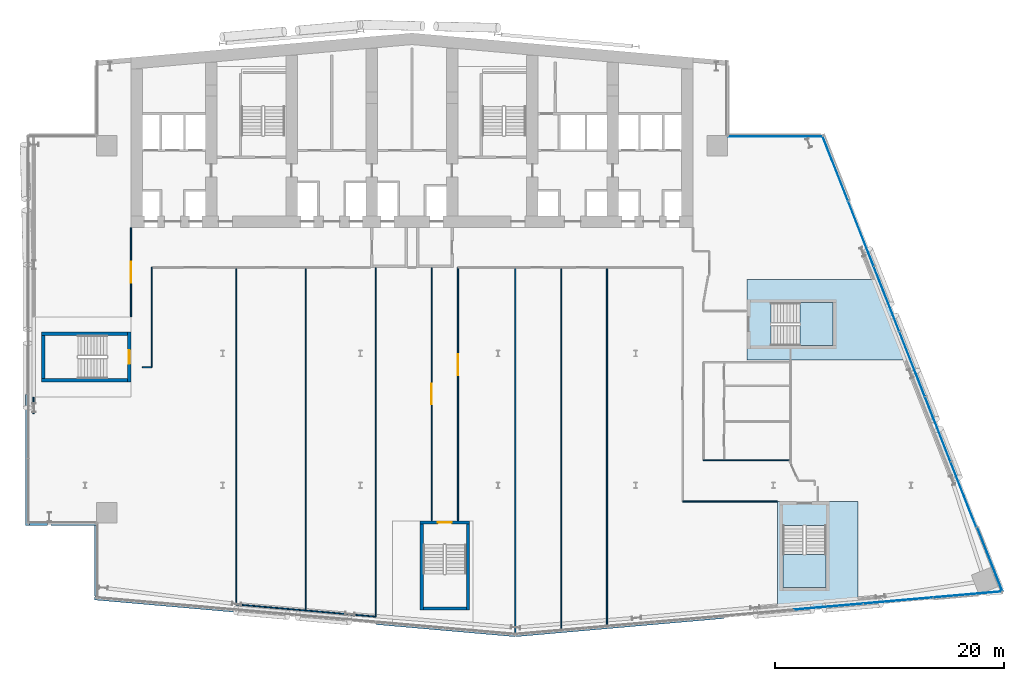
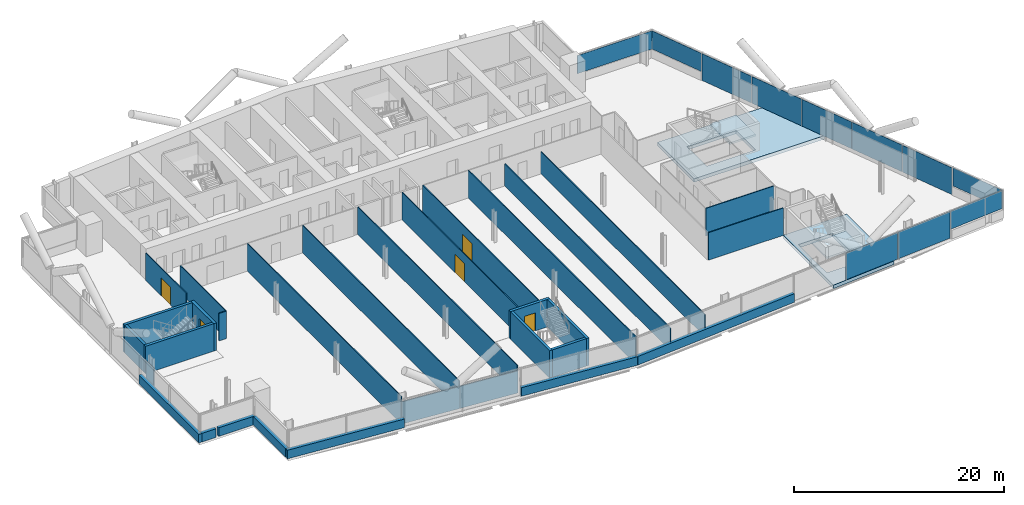
# One storey, part 13 of 26: 31 walls, 11 plates, 5 doors, 4 slabs, 5 openings, 5 elements without a shape of their own.
"""IFC4 building model written with IfcOpenShell, lengths in metres."""

from ifc_helpers import new_model, si_unit, direction, frame, frame_2d, origin, origin_2d, place, context, subcontext, project, spatial, polyline, rectangle, outline, extrude, material, layer, layer_set, type_object, element, fill, aggregate, save


model = new_model("IFC4")

# Units and contexts
model_context = context("Model", 3, precision=1e-05, world=origin(), true_north=direction((0.0, 1.0)))
body_context = subcontext(model_context, "Body", "Model", "MODEL_VIEW")
ifc_project = project(units=[si_unit("LENGTHUNIT", "METRE"), si_unit("AREAUNIT", "SQUARE_METRE"), si_unit("VOLUMEUNIT", "CUBIC_METRE"), si_unit("PLANEANGLEUNIT", "RADIAN"), si_unit("MASSUNIT", "GRAM", prefix="KILO")], contexts=[model_context])

# Site, building, storey
site_placement = place(None, origin())
site = spatial("IfcSite", under=ifc_project, at=site_placement, CompositionType="ELEMENT")
building_placement = place(site_placement, origin())
building = spatial("IfcBuilding", under=site, at=building_placement, Name="Wharfspan Tower", CompositionType="ELEMENT")
storey_placement = place(building_placement, frame((0.0, 0.0, 125.5)))
storey = spatial("IfcBuildingStorey", under=building, at=storey_placement, Name="L29", CompositionType="ELEMENT", Elevation=125.5)

# Curtain wall, plate
ifc_material_1 = material(Name="Aluminium 6063-T6", Category="aluminium")
curtain_wall_type_1 = type_object("IfcCurtainWallType", Name="CURTAIN WALL FACETED FRONT", PredefinedType="NOTDEFINED", material=ifc_material_1)
curtain_wall_1_placement = place(storey_placement, origin())
curtain_wall_1 = element("IfcCurtainWall", 1, at=curtain_wall_1_placement, inside=storey, type_object=curtain_wall_type_1, Name="Curtain wall S2", PredefinedType="NOTDEFINED")
ifc_material_2 = material(Name="Glass clear low-iron double glazing", Category="glass")
ifc_layer_1 = layer(ifc_material_2, 0.040039)
ifc_layer_set_1 = layer_set([ifc_layer_1], Name="Glass clear low-iron double glazing")
plate_type_1 = type_object("IfcPlateType", Name="GLASS PANEL FACETED FRONT 40", PredefinedType="CURTAIN_PANEL", material=ifc_layer_set_1)
plate_1_placement = place(storey_placement, frame((88.944092, 1.99292, 1.0), z_axis=(0.0, 0.0, 1.0), x_axis=(0.996198, 0.087156, 0.0)))
plate_1 = element("IfcPlate", 2, at=plate_1_placement, type_object=plate_type_1, Name="Curtain wall S2 panel 7", PredefinedType="CURTAIN_PANEL", context=body_context, shape_type="SweptSolid", body=[
    extrude(rectangle(XDim=6.004639, YDim=0.040039, at=origin_2d()), origin(), (0.0, 0.0, 1.0), 2.120117),
])

# Curtain wall, plates
curtain_wall_type_2 = type_object("IfcCurtainWallType", Name="CURTAIN WALL PROW AND END", PredefinedType="NOTDEFINED", material=ifc_material_1)
curtain_wall_2_placement = place(storey_placement, origin())
curtain_wall_2 = element("IfcCurtainWall", 3, at=curtain_wall_2_placement, inside=storey, type_object=curtain_wall_type_2, Name="Curtain wall E", PredefinedType="NOTDEFINED")
ifc_layer_2 = layer(ifc_material_2, 0.040039)
ifc_layer_set_2 = layer_set([ifc_layer_2], Name="Glass clear low-iron double glazing")
plate_type_2 = type_object("IfcPlateType", Name="GLASS PANEL PROW AND END 40", PredefinedType="CURTAIN_PANEL", material=ifc_layer_set_2)
plate_2_placement = place(storey_placement, frame((90.877197, 5.056885, 1.0), z_axis=(0.0, 0.0, 1.0), x_axis=(-0.365778, 0.930702, 0.0)))
plate_2 = element("IfcPlate", 4, at=plate_2_placement, type_object=plate_type_2, Name="Curtain wall E panel 1", PredefinedType="CURTAIN_PANEL", context=body_context, shape_type="SweptSolid", body=[
    extrude(rectangle(XDim=6.019043, YDim=0.040039, at=origin_2d()), origin(), (0.0, 0.0, 1.0), 2.120117),
])
plate_3_placement = place(storey_placement, frame((77.406494, 39.114014, 1.0), z_axis=(0.0, 0.0, 1.0), x_axis=(-0.365778, 0.930702, 0.0)))
plate_3 = element("IfcPlate", 5, at=plate_3_placement, type_object=plate_type_2, Name="Curtain wall E panel 7", PredefinedType="CURTAIN_PANEL", context=body_context, shape_type="SweptSolid", body=[
    extrude(rectangle(XDim=6.019043, YDim=0.040039, at=origin_2d()), origin(), (0.0, 0.0, 1.0), 2.120117),
])

# Curtain wall, plate
curtain_wall_3_placement = place(storey_placement, origin())
curtain_wall_3 = element("IfcCurtainWall", 6, at=curtain_wall_3_placement, inside=storey, type_object=curtain_wall_type_2, Name="Curtain wall NRE-H", PredefinedType="NOTDEFINED")
plate_4_placement = place(storey_placement, frame((72.178955, 41.919922, 1.0), z_axis=(0.0, 0.0, 1.0), x_axis=(-1.0, 0.0, 0.0)))
plate_4 = element("IfcPlate", 7, at=plate_4_placement, type_object=plate_type_2, Name="Curtain wall NRE-H panel 1", PredefinedType="CURTAIN_PANEL", context=body_context, shape_type="SweptSolid", body=[
    extrude(rectangle(XDim=8.238037, YDim=0.040039, at=origin_2d()), origin(), (0.0, 0.0, 1.0), 2.120117),
])
aggregate(curtain_wall_3, [plate_4])

# Plate
ifc_material_3 = material(Name="Aluminium composite opaque insulated panel", Category="aluminium")
ifc_layer_3 = layer(ifc_material_3, 0.040039)
ifc_layer_set_3 = layer_set([ifc_layer_3], Name="Aluminium composite opaque insulated panel")
plate_type_3 = type_object("IfcPlateType", Name="INFILL PANEL FACETED FRONT OPAQUE 40", PredefinedType="SHEET", material=ifc_layer_set_3)
plate_5_placement = place(storey_placement, frame((76.816162, 0.931885, 0.0), z_axis=(0.0, 0.0, 1.0), x_axis=(0.996198, 0.087156, 0.0)))
plate_5 = element("IfcPlate", 8, at=plate_5_placement, type_object=plate_type_3, Name="Curtain wall S2 panel 5", PredefinedType="SHEET", context=body_context, shape_type="SweptSolid", body=[
    extrude(rectangle(XDim=6.034668, YDim=0.040039, at=origin_2d()), origin(), (0.0, 0.0, 1.0), 3.120117),
])

plate_6_placement = place(storey_placement, frame((82.887695, 1.462891, 0.0), z_axis=(0.0, 0.0, 1.0), x_axis=(0.996198, 0.087156, 0.0)))
plate_6 = element("IfcPlate", 9, at=plate_6_placement, type_object=plate_type_3, Name="Curtain wall S2 panel 6", PredefinedType="SHEET", context=body_context, shape_type="SweptSolid", body=[
    extrude(rectangle(XDim=6.034668, YDim=0.040039, at=origin_2d()), origin(), (0.0, 0.0, 1.0), 3.120117),
])

aggregate(curtain_wall_1, [plate_5, plate_6, plate_1])

ifc_layer_4 = layer(ifc_material_3, 0.040039)
ifc_layer_set_4 = layer_set([ifc_layer_4], Name="Aluminium composite opaque insulated panel")
plate_type_4 = type_object("IfcPlateType", Name="INFILL PANEL PROW AND END OPAQUE 40", PredefinedType="SHEET", material=ifc_layer_set_4)
plate_7_placement = place(storey_placement, frame((88.57373, 10.699219, 0.0), z_axis=(0.0, 0.0, 1.0), x_axis=(-0.365778, 0.930702, 0.0)))
plate_7 = element("IfcPlate", 10, at=plate_7_placement, type_object=plate_type_4, Name="Curtain wall E panel 2", PredefinedType="SHEET", context=body_context, shape_type="SweptSolid", body=[
    extrude(rectangle(XDim=6.049072, YDim=0.040039, at=origin_2d()), origin(), (0.0, 0.0, 1.0), 3.120117),
])

plate_8_placement = place(storey_placement, frame((86.339111, 16.38501, 0.0), z_axis=(0.0, 0.0, 1.0), x_axis=(-0.365778, 0.930702, 0.0)))
plate_8 = element("IfcPlate", 11, at=plate_8_placement, type_object=plate_type_4, Name="Curtain wall E panel 3", PredefinedType="SHEET", context=body_context, shape_type="SweptSolid", body=[
    extrude(rectangle(XDim=6.049072, YDim=0.040039, at=origin_2d()), origin(), (0.0, 0.0, 1.0), 3.120117),
])

plate_9_placement = place(storey_placement, frame((84.104492, 22.070801, 0.0), z_axis=(0.0, 0.0, 1.0), x_axis=(-0.365778, 0.930702, 0.0)))
plate_9 = element("IfcPlate", 12, at=plate_9_placement, type_object=plate_type_4, Name="Curtain wall E panel 4", PredefinedType="SHEET", context=body_context, shape_type="SweptSolid", body=[
    extrude(rectangle(XDim=6.049072, YDim=0.040039, at=origin_2d()), origin(), (0.0, 0.0, 1.0), 3.120117),
])

plate_10_placement = place(storey_placement, frame((81.870117, 27.756348, 0.0), z_axis=(0.0, 0.0, 1.0), x_axis=(-0.365778, 0.930702, 0.0)))
plate_10 = element("IfcPlate", 13, at=plate_10_placement, type_object=plate_type_4, Name="Curtain wall E panel 5", PredefinedType="SHEET", context=body_context, shape_type="SweptSolid", body=[
    extrude(rectangle(XDim=6.049072, YDim=0.040039, at=origin_2d()), origin(), (0.0, 0.0, 1.0), 3.120117),
])

plate_11_placement = place(storey_placement, frame((79.635498, 33.442139, 0.0), z_axis=(0.0, 0.0, 1.0), x_axis=(-0.365778, 0.930702, 0.0)))
plate_11 = element("IfcPlate", 14, at=plate_11_placement, type_object=plate_type_4, Name="Curtain wall E panel 6", PredefinedType="SHEET", context=body_context, shape_type="SweptSolid", body=[
    extrude(rectangle(XDim=6.049072, YDim=0.040039, at=origin_2d()), origin(), (0.0, 0.0, 1.0), 3.120117),
])

aggregate(curtain_wall_2, [plate_2, plate_7, plate_8, plate_9, plate_10, plate_11, plate_3])

# Slabs
ifc_material_4 = material(Name="Concrete C40/50", Category="concrete")
ifc_layer_5 = layer(ifc_material_4, 0.399902)
ifc_layer_set_5 = layer_set([ifc_layer_5], Name="Concrete C40/50")
slab_type_1 = type_object("IfcSlabType", Name="Post-tensioned flat slab 400", PredefinedType="FLOOR", material=ifc_layer_set_5)
slab_1_placement = place(storey_placement, frame((0.0, 0.0, -0.400146)))
element("IfcSlab", 15, at=slab_1_placement, inside=storey, type_object=slab_type_1, Name="Core floor slab L29 part 5", PredefinedType="FLOOR", context=body_context, shape_type="SweptSolid", body=[
    extrude(outline(polyline([(79.365967, 10.094727), (76.891113, 10.094727), (72.541016, 10.094727), (72.365967, 10.094727), (72.365967, 0.482178), (79.365967, 1.094727), (79.365967, 10.094727)]), holes=[polyline([(76.591064, 7.996582), (76.591309, 7.996582), (76.591309, 7.996582), (76.591553, 7.996582), (76.591797, 7.996582), (76.591797, 7.996338), (76.592041, 7.996338), (76.592285, 7.996094), (76.592285, 7.996094), (76.592529, 7.99585), (76.592773, 7.99585), (76.592773, 7.995605), (76.593018, 7.995361), (76.593018, 7.995117), (76.593018, 7.995117), (76.593018, 7.994873), (76.593018, 7.994629), (76.593018, 2.594727), (76.593018, 2.594482), (76.593018, 2.594238), (76.593018, 2.593994), (76.593018, 2.593994), (76.592773, 2.59375), (76.592773, 2.593506), (76.592529, 2.593506), (76.592285, 2.593262), (76.592285, 2.593018), (76.592041, 2.593018), (76.591797, 2.593018), (76.591797, 2.592773), (76.591553, 2.592773), (76.591309, 2.592773), (76.591309, 2.592773), (76.591064, 2.592773), (72.841064, 2.592773), (72.84082, 2.592773), (72.840576, 2.592773), (72.840332, 2.592773), (72.840088, 2.592773), (72.840088, 2.593018), (72.839844, 2.593018), (72.8396, 2.593018), (72.8396, 2.593262), (72.8396, 2.593506), (72.839355, 2.593506), (72.839111, 2.59375), (72.839111, 2.593994), (72.839111, 2.593994), (72.839111, 2.594238), (72.839111, 2.594482), (72.839111, 2.594727), (72.839111, 7.994629), (72.839111, 7.994873), (72.839111, 7.995117), (72.839111, 7.995117), (72.839111, 7.995361), (72.839111, 7.995605), (72.839355, 7.99585), (72.8396, 7.99585), (72.8396, 7.996094), (72.8396, 7.996094), (72.839844, 7.996338), (72.840088, 7.996338), (72.840088, 7.996582), (72.840332, 7.996582), (72.840576, 7.996582), (72.84082, 7.996582), (72.841064, 7.996582), (76.591064, 7.996582)])]), origin(), (0.0, 0.0, 1.0), 0.400146),
])
slab_2_placement = place(storey_placement, frame((0.0, 0.0, -0.400146)))
element("IfcSlab", 16, at=slab_2_placement, inside=storey, type_object=slab_type_1, Name="Core floor slab L29 part 6", PredefinedType="FLOOR", context=body_context, shape_type="SweptSolid", body=[
    extrude(outline(polyline([(81.290283, 29.449951), (69.69043, 29.449951), (69.69043, 27.725098), (69.69043, 23.375), (69.69043, 22.449951), (84.041504, 22.449951), (81.290283, 29.449951)]), holes=[polyline([(71.790283, 23.673096), (71.790283, 23.673096), (71.790039, 23.673096), (71.789795, 23.673096), (71.789551, 23.673096), (71.789551, 23.673096), (71.789307, 23.67334), (71.789062, 23.673584), (71.789062, 23.673584), (71.788818, 23.673584), (71.788818, 23.673828), (71.788574, 23.674072), (71.788574, 23.674316), (71.788574, 23.674316), (71.78833, 23.674561), (71.78833, 23.674805), (71.78833, 23.675049), (71.78833, 27.425049), (71.78833, 27.425293), (71.78833, 27.425293), (71.788574, 27.425537), (71.788574, 27.425781), (71.788574, 27.425781), (71.788818, 27.426025), (71.788818, 27.42627), (71.789062, 27.426514), (71.789062, 27.426514), (71.789307, 27.426758), (71.789551, 27.426758), (71.789551, 27.426758), (71.789795, 27.427002), (71.790039, 27.427002), (71.790283, 27.427002), (71.790283, 27.427002), (77.19043, 27.427002), (77.190674, 27.427002), (77.190918, 27.427002), (77.190918, 27.427002), (77.191162, 27.426758), (77.191406, 27.426758), (77.191406, 27.426758), (77.19165, 27.426514), (77.191895, 27.426514), (77.191895, 27.42627), (77.192139, 27.426025), (77.192139, 27.425781), (77.192139, 27.425781), (77.192383, 27.425537), (77.192383, 27.425293), (77.192383, 27.425293), (77.192383, 27.425049), (77.192383, 23.675049), (77.192383, 23.674805), (77.192383, 23.674561), (77.192383, 23.674316), (77.192139, 23.674316), (77.192139, 23.674072), (77.192139, 23.673828), (77.191895, 23.673584), (77.191895, 23.673584), (77.19165, 23.673584), (77.191406, 23.67334), (77.191406, 23.673096), (77.191162, 23.673096), (77.190918, 23.673096), (77.190918, 23.673096), (77.190674, 23.673096), (77.19043, 23.673096), (71.790283, 23.673096)])]), origin(), (0.0, 0.0, 1.0), 0.400146),
])

# Stair, slab
stair_type = type_object("IfcStairType", Name="Half-turn stair 20 risers 180 mm", PredefinedType="HALF_TURN_STAIR", material=ifc_material_4)
stair_1_placement = place(storey_placement, origin())
stair_1 = element("IfcStair", 17, at=stair_1_placement, inside=storey, type_object=stair_type, Name="L29 stair ST5", PredefinedType="HALF_TURN_STAIR")
ifc_layer_6 = layer(ifc_material_4, 0.199951)
ifc_layer_set_6 = layer_set([ifc_layer_6], Name="Concrete C40/50")
slab_type_2 = type_object("IfcSlabType", Name="Stair landing 200", PredefinedType="LANDING", material=ifc_layer_set_6)
slab_3_placement = place(storey_placement, frame((0.0, 0.0, 1.599854)))
slab_3 = element("IfcSlab", 18, at=slab_3_placement, type_object=slab_type_2, Name="ST5 landing 1", PredefinedType="LANDING", context=body_context, shape_type="SweptSolid", body=[
    extrude(outline(polyline([(72.841064, 5.474609), (72.841064, 2.594727), (76.591064, 2.594727), (76.591064, 5.474609), (72.841064, 5.474609)])), origin(), (0.0, 0.0, 1.0), 0.200195),
])
aggregate(stair_1, [slab_3])

stair_2_placement = place(storey_placement, origin())
stair_2 = element("IfcStair", 19, at=stair_2_placement, inside=storey, type_object=stair_type, Name="L29 stair ST6", PredefinedType="HALF_TURN_STAIR")
slab_4_placement = place(storey_placement, frame((0.0, 0.0, 1.599854)))
slab_4 = element("IfcSlab", 20, at=slab_4_placement, type_object=slab_type_2, Name="ST6 landing 1", PredefinedType="LANDING", context=body_context, shape_type="SweptSolid", body=[
    extrude(outline(polyline([(74.310303, 23.675049), (77.19043, 23.675049), (77.19043, 27.425049), (74.310303, 27.425049), (74.310303, 23.675049)])), origin(), (0.0, 0.0, 1.0), 0.200195),
])
aggregate(stair_2, [slab_4])

# Wall, opening, door
ifc_material_5 = material(Name="Gypsum board on steel studs", Category="steel")
ifc_layer_7 = layer(ifc_material_5, 0.100098)
ifc_layer_set_7 = layer_set([ifc_layer_7], Name="Gypsum board on steel studs")
wall_type_1 = type_object("IfcWallType", Name="Compartment wall 100 EI 60", PredefinedType="PARTITIONING", material=ifc_layer_set_7)
wall_1_placement = place(storey_placement, frame((16.0, 26.219971, 0.0), z_axis=(0.0, 0.0, 1.0), x_axis=(0.0, 1.0, 0.0)))
wall_1 = element("IfcWall", 21, at=wall_1_placement, inside=storey, type_object=wall_type_1, Name="Partition L29.w003", PredefinedType="PARTITIONING", context=body_context, shape_type="SweptSolid", body=[
    extrude(rectangle(XDim=7.76001, YDim=0.100098, at=frame_2d((3.879883, 0.0))), origin(), (0.0, 0.0, 1.0), 3.199951),
])
opening_1_placement = place(wall_1_placement, frame((2.959961, 0.0, 0.0)))
opening_1 = element("IfcOpeningElement", 22, at=opening_1_placement, cuts=wall_1, Name="Opening B4-09", PredefinedType="OPENING", context=body_context, shape_type="SweptSolid", body=[
    extrude(rectangle(XDim=1.800049, YDim=2.100098, at=frame_2d((0.899902, 1.050049))), frame((0.0, 0.060059, 0.0), z_axis=(0.0, -1.0, 0.0), x_axis=(1.0, 0.0, 0.0)), (0.0, 0.0, 1.0), 0.120117),
])
ifc_material_6 = material(Name="Fire-rated timber door leaf in steel frame", Category="steel")
door_type_1 = type_object("IfcDoorType", Name="Door 1800 FD30S Double", OperationType="DOUBLE_DOOR_SINGLE_SWING", PredefinedType="DOOR", material=ifc_material_6)
door_1_placement = place(opening_1_placement, origin())
door_1 = element("IfcDoor", 23, at=door_1_placement, inside=storey, type_object=door_type_1, Name="Door B4-09", OperationType="DOUBLE_DOOR_SINGLE_SWING", OverallHeight=2.100098, OverallWidth=1.800049, PredefinedType="DOOR", context=body_context, shape_type="SweptSolid", body=[
    extrude(rectangle(XDim=1.800049, YDim=2.100098, at=frame_2d((0.899902, 1.050049))), frame((0.0, 0.024902, 0.0), z_axis=(0.0, -1.0, 0.0), x_axis=(1.0, 0.0, 0.0)), (0.0, 0.0, 1.0), 0.050049),
])
fill(opening_1, door_1)

# Walls
wall_2_placement = place(storey_placement, frame((17.0, 21.800049, 0.0), z_axis=(0.0, 0.0, 1.0), x_axis=(1.0, 0.0, 0.0)))
element("IfcWall", 24, at=wall_2_placement, inside=storey, type_object=wall_type_1, Name="Partition L29.w004", PredefinedType="PARTITIONING", context=body_context, shape_type="SweptSolid", body=[
    extrude(rectangle(XDim=0.800049, YDim=0.100098, at=frame_2d((0.399902, 0.0))), origin(), (0.0, 0.0, 1.0), 3.199951),
])
wall_3_placement = place(storey_placement, frame((17.800049, 21.800049, 0.0), z_axis=(0.0, 0.0, 1.0), x_axis=(0.0, 1.0, 0.0)))
element("IfcWall", 25, at=wall_3_placement, inside=storey, type_object=wall_type_1, Name="Partition L29.w005", PredefinedType="PARTITIONING", context=body_context, shape_type="SweptSolid", body=[
    extrude(rectangle(XDim=8.699951, YDim=0.100098, at=frame_2d((4.350098, 0.0))), origin(), (0.0, 0.0, 1.0), 3.199951),
])
wall_4_placement = place(storey_placement, frame((25.169922, 1.120117, 0.0), z_axis=(0.0, 0.0, 1.0), x_axis=(0.0, 1.0, 0.0)))
element("IfcWall", 26, at=wall_4_placement, inside=storey, type_object=wall_type_1, Name="Partition L29.w007", PredefinedType="PARTITIONING", context=body_context, shape_type="SweptSolid", body=[
    extrude(rectangle(XDim=29.379883, YDim=0.100098, at=frame_2d((14.689941, 0.0))), origin(), (0.0, 0.0, 1.0), 3.199951),
])
wall_5_placement = place(storey_placement, frame((31.25, 0.590088, 0.0), z_axis=(0.0, 0.0, 1.0), x_axis=(0.0, 1.0, 0.0)))
element("IfcWall", 27, at=wall_5_placement, inside=storey, type_object=wall_type_1, Name="Partition L29.w009", PredefinedType="PARTITIONING", context=body_context, shape_type="SweptSolid", body=[
    extrude(rectangle(XDim=29.909912, YDim=0.100098, at=frame_2d((14.955078, 0.0))), origin(), (0.0, 0.0, 1.0), 3.199951),
])
wall_6_placement = place(storey_placement, frame((37.334961, 0.054932, 0.0), z_axis=(0.0, 0.0, 1.0), x_axis=(0.0, 1.0, 0.0)))
element("IfcWall", 28, at=wall_6_placement, inside=storey, type_object=wall_type_1, Name="Partition L29.w011", PredefinedType="PARTITIONING", context=body_context, shape_type="SweptSolid", body=[
    extrude(rectangle(XDim=30.445068, YDim=0.100098, at=frame_2d((15.222656, 0.0))), origin(), (0.0, 0.0, 1.0), 3.199951),
])

# Wall, opening, door
wall_7_placement = place(storey_placement, frame((42.209961, 8.437012, 0.0), z_axis=(0.0, 0.0, 1.0), x_axis=(0.0, 1.0, 0.0)))
wall_7 = element("IfcWall", 29, at=wall_7_placement, inside=storey, type_object=wall_type_1, Name="Partition L29.w012", PredefinedType="PARTITIONING", context=body_context, shape_type="SweptSolid", body=[
    extrude(rectangle(XDim=22.062988, YDim=0.100098, at=frame_2d((11.031494, 0.0))), origin(), (0.0, 0.0, 1.0), 3.199951),
])
opening_2_placement = place(wall_7_placement, frame((10.143066, 0.0, 0.0)))
opening_2 = element("IfcOpeningElement", 30, at=opening_2_placement, cuts=wall_7, Name="Opening B4-05", PredefinedType="OPENING", context=body_context, shape_type="SweptSolid", body=[
    extrude(rectangle(XDim=1.800049, YDim=2.100098, at=frame_2d((0.899902, 1.050049))), frame((0.0, 0.060059, 0.0), z_axis=(0.0, -1.0, 0.0), x_axis=(1.0, 0.0, 0.0)), (0.0, 0.0, 1.0), 0.120117),
])
door_2_placement = place(opening_2_placement, origin())
door_2 = element("IfcDoor", 31, at=door_2_placement, inside=storey, type_object=door_type_1, Name="Door B4-05", OperationType="DOUBLE_DOOR_SINGLE_SWING", OverallHeight=2.100098, OverallWidth=1.800049, PredefinedType="DOOR", context=body_context, shape_type="SweptSolid", body=[
    extrude(rectangle(XDim=1.800049, YDim=2.100098, at=frame_2d((0.899902, 1.050049))), frame((0.0, 0.024902, 0.0), z_axis=(0.0, -1.0, 0.0), x_axis=(1.0, 0.0, 0.0)), (0.0, 0.0, 1.0), 0.050049),
])
fill(opening_2, door_2)

wall_8_placement = place(storey_placement, frame((44.51001, 8.437012, 0.0), z_axis=(0.0, 0.0, 1.0), x_axis=(0.0, 1.0, 0.0)))
wall_8 = element("IfcWall", 32, at=wall_8_placement, inside=storey, type_object=wall_type_1, Name="Partition L29.w013", PredefinedType="PARTITIONING", context=body_context, shape_type="SweptSolid", body=[
    extrude(rectangle(XDim=22.062988, YDim=0.100098, at=frame_2d((11.031494, 0.0))), origin(), (0.0, 0.0, 1.0), 3.199951),
])
opening_3_placement = place(wall_8_placement, frame((12.683105, 0.0, 0.0)))
opening_3 = element("IfcOpeningElement", 33, at=opening_3_placement, cuts=wall_8, Name="Opening B4-08", PredefinedType="OPENING", context=body_context, shape_type="SweptSolid", body=[
    extrude(rectangle(XDim=1.800049, YDim=2.100098, at=frame_2d((0.899902, 1.050049))), frame((0.0, 0.060059, 0.0), z_axis=(0.0, -1.0, 0.0), x_axis=(1.0, 0.0, 0.0)), (0.0, 0.0, 1.0), 0.120117),
])
door_3_placement = place(opening_3_placement, origin())
door_3 = element("IfcDoor", 34, at=door_3_placement, inside=storey, type_object=door_type_1, Name="Door B4-08", OperationType="DOUBLE_DOOR_SINGLE_SWING", OverallHeight=2.100098, OverallWidth=1.800049, PredefinedType="DOOR", context=body_context, shape_type="SweptSolid", body=[
    extrude(rectangle(XDim=1.800049, YDim=2.100098, at=frame_2d((0.899902, 1.050049))), frame((0.0, 0.024902, 0.0), z_axis=(0.0, -1.0, 0.0), x_axis=(1.0, 0.0, 0.0)), (0.0, 0.0, 1.0), 0.050049),
])
fill(opening_3, door_3)

# Walls
wall_9_placement = place(storey_placement, frame((49.5, -1.498291, 0.0), z_axis=(0.0, 0.0, 1.0), x_axis=(0.0, 1.0, 0.0)))
element("IfcWall", 35, at=wall_9_placement, inside=storey, type_object=wall_type_1, Name="Partition L29.w015", PredefinedType="PARTITIONING", context=body_context, shape_type="SweptSolid", body=[
    extrude(rectangle(XDim=31.998291, YDim=0.100098, at=frame_2d((15.999023, 0.0))), origin(), (0.0, 0.0, 1.0), 3.199951),
])
wall_10_placement = place(storey_placement, frame((53.5, -1.148193, 0.0), z_axis=(0.0, 0.0, 1.0), x_axis=(0.0, 1.0, 0.0)))
element("IfcWall", 36, at=wall_10_placement, inside=storey, type_object=wall_type_1, Name="Partition L29.w016", PredefinedType="PARTITIONING", context=body_context, shape_type="SweptSolid", body=[
    extrude(rectangle(XDim=31.648193, YDim=0.100098, at=frame_2d((15.824219, 0.0))), origin(), (0.0, 0.0, 1.0), 2.580078),
])
wall_11_placement = place(storey_placement, frame((57.5, -0.79834, 0.0), z_axis=(0.0, 0.0, 1.0), x_axis=(0.0, 1.0, 0.0)))
element("IfcWall", 37, at=wall_11_placement, inside=storey, type_object=wall_type_1, Name="Partition L29.w017", PredefinedType="PARTITIONING", context=body_context, shape_type="SweptSolid", body=[
    extrude(rectangle(XDim=31.29834, YDim=0.100098, at=frame_2d((15.64917, 0.0))), origin(), (0.0, 0.0, 1.0), 2.580078),
])
wall_12_placement = place(storey_placement, frame((64.100098, 10.094971, 0.0), z_axis=(0.0, 0.0, 1.0), x_axis=(1.0, 0.0, 0.0)))
element("IfcWall", 38, at=wall_12_placement, inside=storey, type_object=wall_type_1, Name="Partition L29.w019", PredefinedType="PARTITIONING", context=body_context, shape_type="SweptSolid", body=[
    extrude(rectangle(XDim=8.24585, YDim=0.100098, at=frame_2d((4.123047, 0.0))), origin(), (0.0, 0.0, 1.0), 3.199951),
])
wall_13_placement = place(storey_placement, frame((65.909912, 13.705078, 0.0), z_axis=(0.0, 0.0, 1.0), x_axis=(1.0, 0.0, 0.0)))
element("IfcWall", 39, at=wall_13_placement, inside=storey, type_object=wall_type_1, Name="Partition L29.w026", PredefinedType="PARTITIONING", context=body_context, shape_type="SweptSolid", body=[
    extrude(rectangle(XDim=7.48999, YDim=0.100098, at=frame_2d((3.745117, 0.0))), origin(), (0.0, 0.0, 1.0), 3.199951),
])
ifc_layer_8 = layer(ifc_material_5, 0.100098)
ifc_layer_set_8 = layer_set([ifc_layer_8], Name="Gypsum board on steel studs")
wall_type_2 = type_object("IfcWallType", Name="Partition 100", PredefinedType="PARTITIONING", material=ifc_layer_set_8)
wall_14_placement = place(storey_placement, frame((7.51001, 17.764893, 0.0), z_axis=(0.0, 0.0, 1.0), x_axis=(0.0, 1.0, 0.0)))
element("IfcWall", 40, at=wall_14_placement, inside=storey, type_object=wall_type_2, Name="Partition L29.w001", PredefinedType="PARTITIONING", context=body_context, shape_type="SweptSolid", body=[
    extrude(rectangle(XDim=1.415039, YDim=0.100098, at=frame_2d((0.70752, 0.0))), origin(), (0.0, 0.0, 1.0), 2.580078),
])
wall_15_placement = place(storey_placement, frame((31.25, 0.590088, 0.0), z_axis=(0.0, 0.0, 1.0), x_axis=(-0.996218, 0.086845, 0.0)))
element("IfcWall", 41, at=wall_15_placement, inside=storey, type_object=wall_type_2, Name="Partition L29.w008", PredefinedType="PARTITIONING", context=body_context, shape_type="SweptSolid", body=[
    extrude(rectangle(XDim=6.103027, YDim=0.100098, at=frame_2d((3.051514, 0.0))), origin(), (0.0, 0.0, 1.0), 2.580078),
])
wall_16_placement = place(storey_placement, frame((37.334961, 0.054932, 0.0), z_axis=(0.0, 0.0, 1.0), x_axis=(-0.996095, 0.088253, 0.0)))
element("IfcWall", 42, at=wall_16_placement, inside=storey, type_object=wall_type_2, Name="Partition L29.w010", PredefinedType="PARTITIONING", context=body_context, shape_type="SweptSolid", body=[
    extrude(rectangle(XDim=6.105469, YDim=0.100098, at=frame_2d((3.052734, 0.0))), origin(), (0.0, 0.0, 1.0), 2.580078),
])
ifc_layer_9 = layer(ifc_material_4, 0.350098)
ifc_layer_set_9 = layer_set([ifc_layer_9], Name="Concrete C40/50")
wall_type_3 = type_object("IfcWallType", Name="SPANDREL EXPOSED CONCRETE 350", PredefinedType="SOLIDWALL", material=ifc_layer_set_9)
wall_17_placement = place(storey_placement, frame((12.835205, 1.68457, 0.0), z_axis=(0.0, 0.0, 1.0), x_axis=(0.996192, -0.087173, 0.0)))
element("IfcWall", 43, at=wall_17_placement, inside=storey, type_object=wall_type_3, Name="Spandrel upstand L29 S1 1", PredefinedType="SOLIDWALL", context=body_context, shape_type="SweptSolid", body=[
    extrude(rectangle(XDim=12.348145, YDim=0.350098, at=frame_2d((6.174072, 0.0))), origin(), (0.0, 0.0, 1.0), 1.0),
])
wall_18_placement = place(storey_placement, frame((37.362793, -0.461426, 0.0), z_axis=(0.0, 0.0, 1.0), x_axis=(0.996194, -0.087159, 0.0)))
element("IfcWall", 44, at=wall_18_placement, inside=storey, type_object=wall_type_3, Name="Spandrel upstand L29 S1 2", PredefinedType="SOLIDWALL", context=body_context, shape_type="SweptSolid", body=[
    extrude(rectangle(XDim=12.19873, YDim=0.350098, at=frame_2d((6.099365, 0.0))), origin(), (0.0, 0.0, 1.0), 1.0),
])
wall_19_placement = place(storey_placement, frame((49.54541, -1.519287, 0.0), z_axis=(0.0, 0.0, 1.0), x_axis=(0.996191, 0.087151, 0.0)))
element("IfcWall", 45, at=wall_19_placement, inside=storey, type_object=wall_type_3, Name="Spandrel upstand L29 S2 1", PredefinedType="SOLIDWALL", context=body_context, shape_type="SweptSolid", body=[
    extrude(rectangle(XDim=18.20874, YDim=0.350098, at=frame_2d((9.104492, 0.0))), origin(), (0.0, 0.0, 1.0), 1.0),
])
wall_20_placement = place(storey_placement, frame((6.995117, 19.436768, 0.0), z_axis=(0.0, 0.0, 1.0), x_axis=(0.0, -1.0, 0.0)))
element("IfcWall", 46, at=wall_20_placement, inside=storey, type_object=wall_type_3, Name="Spandrel upstand L29 W", PredefinedType="SOLIDWALL", context=body_context, shape_type="SweptSolid", body=[
    extrude(rectangle(XDim=11.416748, YDim=0.350098, at=frame_2d((5.708496, 0.0))), origin(), (0.0, 0.0, 1.0), 1.0),
])
wall_21_placement = place(storey_placement, frame((7.169922, 8.195068, 0.0), z_axis=(0.0, 0.0, 1.0), x_axis=(1.0, 0.0, 0.0)))
element("IfcWall", 47, at=wall_21_placement, inside=storey, type_object=wall_type_3, Name="Spandrel upstand L29 NFW-H", PredefinedType="SOLIDWALL", context=body_context, shape_type="SweptSolid", body=[
    extrude(rectangle(XDim=1.563232, YDim=0.350098, at=frame_2d((0.781738, 0.0))), origin(), (0.0, 0.0, 1.0), 1.0),
])
wall_22_placement = place(storey_placement, frame((9.036133, 8.195068, 0.0), z_axis=(0.0, 0.0, 1.0), x_axis=(1.0, 0.0, 0.0)))
element("IfcWall", 48, at=wall_22_placement, inside=storey, type_object=wall_type_3, Name="Spandrel upstand L29 NFW-H 2", PredefinedType="SOLIDWALL", context=body_context, shape_type="SweptSolid", body=[
    extrude(rectangle(XDim=3.963867, YDim=0.350098, at=frame_2d((1.981934, 0.0))), origin(), (0.0, 0.0, 1.0), 1.0),
])
wall_23_placement = place(storey_placement, frame((12.995117, 8.02002, 0.0), z_axis=(0.0, 0.0, 1.0), x_axis=(0.0, -1.0, 0.0)))
element("IfcWall", 49, at=wall_23_placement, inside=storey, type_object=wall_type_3, Name="Spandrel upstand L29 NFW-V", PredefinedType="SOLIDWALL", context=body_context, shape_type="SweptSolid", body=[
    extrude(rectangle(XDim=6.161133, YDim=0.350098, at=frame_2d((3.080566, 0.0))), origin(), (0.0, 0.0, 1.0), 1.0),
])

# Wall, opening, door
ifc_layer_10 = layer(ifc_material_4, 0.300049)
ifc_layer_set_10 = layer_set([ifc_layer_10], Name="Concrete C40/50")
wall_type_4 = type_object("IfcWallType", Name="Stair core wall 300", PredefinedType="SHEAR", material=ifc_layer_set_10)
wall_24_placement = place(storey_placement, frame((15.850098, 20.524902, 0.0), z_axis=(0.0, 0.0, 1.0), x_axis=(0.0, 1.0, 0.0)))
wall_24 = element("IfcWall", 50, at=wall_24_placement, inside=storey, type_object=wall_type_4, Name="ST3 stair enclosure wall L29", PredefinedType="SHEAR", context=body_context, shape_type="SweptSolid", body=[
    extrude(rectangle(XDim=4.350098, YDim=0.300049, at=frame_2d((2.175049, 0.0))), origin(), (0.0, 0.0, 1.0), 3.199951),
])
opening_4_placement = place(wall_24_placement, frame((1.574951, 0.0, 0.0)))
opening_4 = element("IfcOpeningElement", 51, at=opening_4_placement, cuts=wall_24, Name="Opening SD3.L29", PredefinedType="OPENING", context=body_context, shape_type="SweptSolid", body=[
    extrude(rectangle(XDim=1.199951, YDim=2.100098, at=frame_2d((0.600098, 1.050049))), frame((0.0, 0.159912, 0.0), z_axis=(0.0, -1.0, 0.0), x_axis=(1.0, 0.0, 0.0)), (0.0, 0.0, 1.0), 0.320068),
])
ifc_material_7 = material(Name="Steel door leaf", Category="steel")
door_type_2 = type_object("IfcDoorType", Name="Stair door 1200x2100", OperationType="SINGLE_SWING_LEFT", PredefinedType="DOOR", material=ifc_material_7)
door_4_placement = place(opening_4_placement, origin())
door_4 = element("IfcDoor", 52, at=door_4_placement, inside=storey, type_object=door_type_2, Name="sd:L29:ST3z2", OperationType="SINGLE_SWING_RIGHT", OverallHeight=2.100098, OverallWidth=1.199951, PredefinedType="DOOR", context=body_context, shape_type="SweptSolid", body=[
    extrude(rectangle(XDim=1.199951, YDim=2.100098, at=frame_2d((0.600098, 1.050049))), frame((0.0, 0.024902, 0.0), z_axis=(0.0, -1.0, 0.0), x_axis=(1.0, 0.0, 0.0)), (0.0, 0.0, 1.0), 0.050049),
])
fill(opening_4, door_4)

wall_25_placement = place(storey_placement, frame((41.185303, 8.26709, 0.0), z_axis=(0.0, 0.0, 1.0), x_axis=(1.0, 0.0, 0.0)))
wall_25 = element("IfcWall", 53, at=wall_25_placement, inside=storey, type_object=wall_type_4, Name="ST4 stair enclosure wall L29", PredefinedType="SHEAR", context=body_context, shape_type="SweptSolid", body=[
    extrude(rectangle(XDim=4.350098, YDim=0.300049, at=frame_2d((2.175049, 0.0))), origin(), (0.0, 0.0, 1.0), 3.199951),
])
opening_5_placement = place(wall_25_placement, frame((1.574951, 0.0, 0.0)))
opening_5 = element("IfcOpeningElement", 54, at=opening_5_placement, cuts=wall_25, Name="Opening SD4.L29", PredefinedType="OPENING", context=body_context, shape_type="SweptSolid", body=[
    extrude(rectangle(XDim=1.199951, YDim=2.100098, at=frame_2d((0.600098, 1.050049))), frame((0.0, 0.159912, 0.0), z_axis=(0.0, -1.0, 0.0), x_axis=(1.0, 0.0, 0.0)), (0.0, 0.0, 1.0), 0.320068),
])
door_5_placement = place(opening_5_placement, origin())
door_5 = element("IfcDoor", 55, at=door_5_placement, inside=storey, type_object=door_type_2, Name="sd:L29:ST4z2", OperationType="SINGLE_SWING_RIGHT", OverallHeight=2.100098, OverallWidth=1.199951, PredefinedType="DOOR", context=body_context, shape_type="SweptSolid", body=[
    extrude(rectangle(XDim=1.199951, YDim=2.100098, at=frame_2d((0.600098, 1.050049))), frame((0.0, 0.024902, 0.0), z_axis=(0.0, -1.0, 0.0), x_axis=(1.0, 0.0, 0.0)), (0.0, 0.0, 1.0), 0.050049),
])
fill(opening_5, door_5)

# Walls
for number, where, z_axis, x_axis, name in (
    (56, (8.199951, 20.675049, 0.0), (0.0, 0.0, 1.0), (1.0, 0.0, 0.0), "ST3 stair enclosure wall L29"),
    (57, (8.199951, 24.725098, 0.0), (0.0, 0.0, 1.0), (1.0, 0.0, 0.0), "ST3 stair enclosure wall L29"),
):
    element("IfcWall", number, at=place(storey_placement, frame(where, z_axis=z_axis, x_axis=x_axis)), inside=storey, type_object=wall_type_4, Name=name, PredefinedType="SHEAR", context=body_context, shape_type="SweptSolid", body=[
        extrude(rectangle(XDim=7.5, YDim=0.300049, at=frame_2d((3.75, 0.0))), origin(), (0.0, 0.0, 1.0), 3.199951),
    ])
wall_26_placement = place(storey_placement, frame((8.350098, 20.824951, 0.0), z_axis=(0.0, 0.0, 1.0), x_axis=(0.0, 1.0, 0.0)))
element("IfcWall", 58, at=wall_26_placement, inside=storey, type_object=wall_type_4, Name="ST3 stair enclosure wall L29", PredefinedType="SHEAR", context=body_context, shape_type="SweptSolid", body=[
    extrude(rectangle(XDim=3.75, YDim=0.300049, at=frame_2d((1.875, 0.0))), origin(), (0.0, 0.0, 1.0), 3.199951),
])
for number, where, z_axis, x_axis, name in (
    (59, (41.335205, 0.616943, 0.0), (0.0, 0.0, 1.0), (0.0, 1.0, 0.0), "ST4 stair enclosure wall L29"),
    (60, (45.385254, 0.616943, 0.0), (0.0, 0.0, 1.0), (0.0, 1.0, 0.0), "ST4 stair enclosure wall L29"),
):
    element("IfcWall", number, at=place(storey_placement, frame(where, z_axis=z_axis, x_axis=x_axis)), inside=storey, type_object=wall_type_4, Name=name, PredefinedType="SHEAR", context=body_context, shape_type="SweptSolid", body=[
        extrude(rectangle(XDim=7.5, YDim=0.300049, at=frame_2d((3.75, 0.0))), origin(), (0.0, 0.0, 1.0), 3.199951),
    ])
wall_27_placement = place(storey_placement, frame((41.485352, 0.76709, 0.0), z_axis=(0.0, 0.0, 1.0), x_axis=(1.0, 0.0, 0.0)))
element("IfcWall", 61, at=wall_27_placement, inside=storey, type_object=wall_type_4, Name="ST4 stair enclosure wall L29", PredefinedType="SHEAR", context=body_context, shape_type="SweptSolid", body=[
    extrude(rectangle(XDim=3.75, YDim=0.300049, at=frame_2d((1.875, 0.0))), origin(), (0.0, 0.0, 1.0), 3.199951),
])

save(model, "model.ifc")
